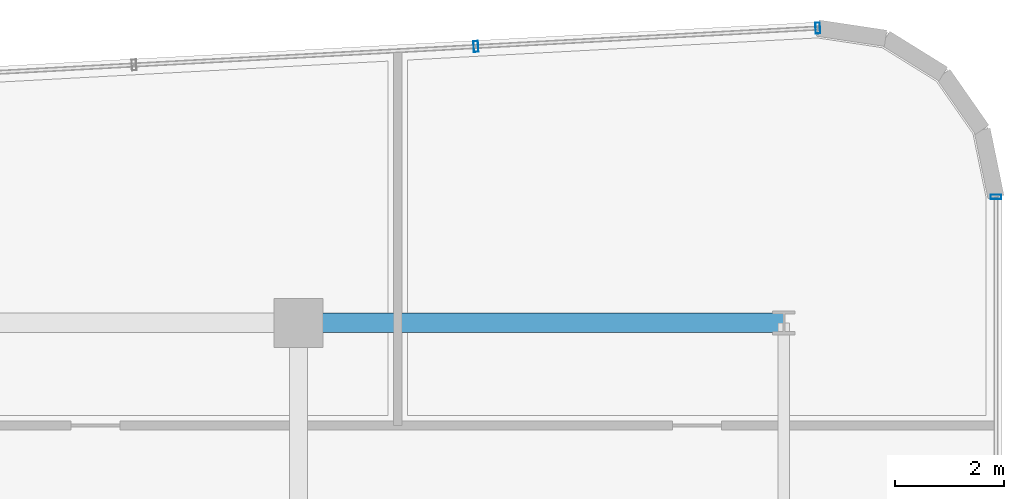
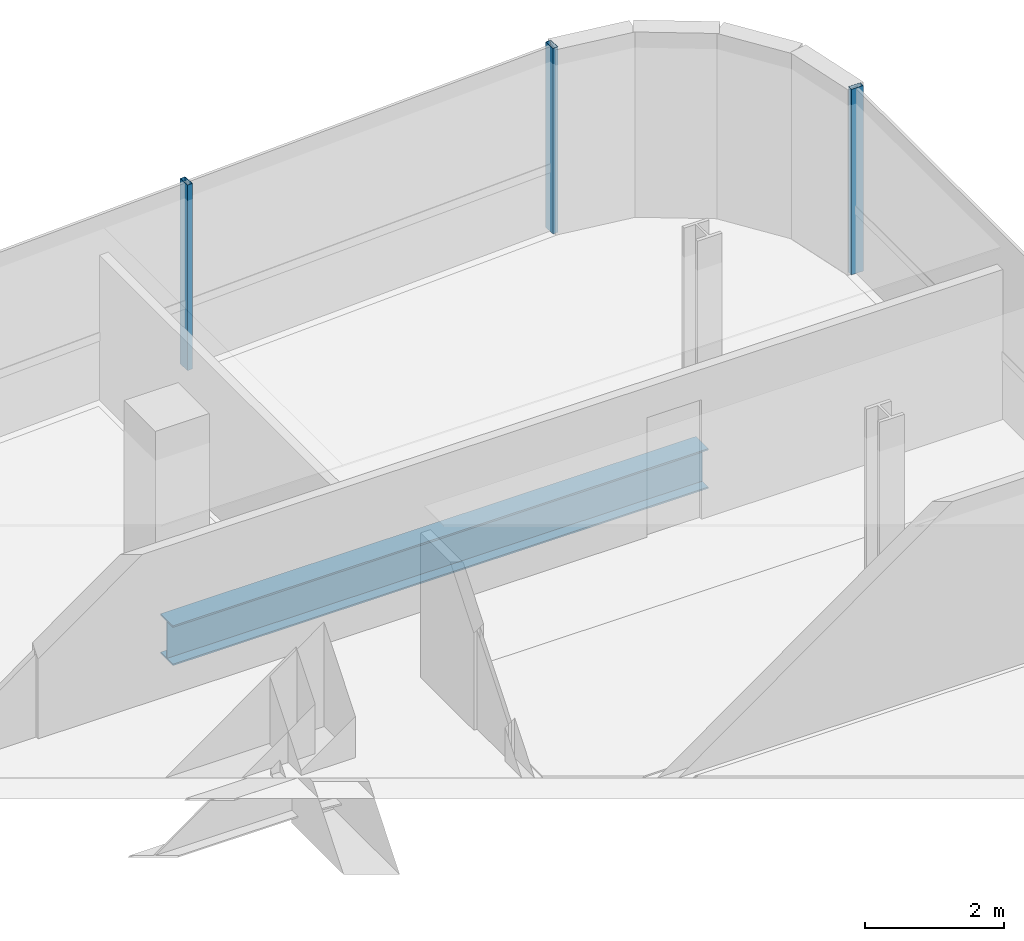
# One storey, part 15 of 21: 3 members, 1 beam, 2 elements without a shape of their own.
"""IFC4 building model written with IfcOpenShell, lengths in metres."""

from ifc_helpers import new_model, si_unit, direction, frame, origin, origin_2d, place, context, subcontext, project, spatial, hollow_rectangle, i_section, extrude, source, transform, mapped, material, material_profile, profile_set, type_object, element, aggregate, save


model = new_model("IFC4")

# Units and contexts
model_context = context("Model", 3, precision=1e-05, world=origin(), true_north=direction((0.0, 1.0)))
body_context = subcontext(model_context, "Body", "Model", "MODEL_VIEW")
ifc_project = project(units=[si_unit("LENGTHUNIT", "METRE"), si_unit("AREAUNIT", "SQUARE_METRE"), si_unit("VOLUMEUNIT", "CUBIC_METRE"), si_unit("PLANEANGLEUNIT", "RADIAN"), si_unit("MASSUNIT", "GRAM", prefix="KILO")], contexts=[model_context])

# Site, building, storey
site_placement = place(None, origin())
site = spatial("IfcSite", under=ifc_project, at=site_placement, CompositionType="ELEMENT")
building_placement = place(site_placement, origin())
building = spatial("IfcBuilding", under=site, at=building_placement, Name="Valdorenza Pilgrim Sanctuary Tower", CompositionType="ELEMENT")
storey_placement = place(building_placement, frame((0.0, 0.0, 223.0)))
storey = spatial("IfcBuildingStorey", under=building, at=storey_placement, Name="L57", CompositionType="ELEMENT", Elevation=223.0)

# Beam
ifc_material_1 = material(Name="Steel ASTM A992 Grade 50", Category="steel")
ifc_material_profile_1 = material_profile(ifc_material_1, i_section(OverallWidth=0.35595703125, OverallDepth=0.700927734375, WebThickness=0.016845703125, FlangeThickness=0.02734375, at=origin_2d()), Name="W27X161")
ifc_profile_set_1 = profile_set([ifc_material_profile_1], Name="Steel ASTM A992 Grade 50")
beam_type = type_object("IfcBeamType", Name="STR-BM-GRD-W27", PredefinedType="BEAM", material=ifc_profile_set_1)
shared_shape_1 = source(origin(), body_context, "Body", "SweptSolid", [
    extrude(i_section(OverallWidth=0.35595703125, OverallDepth=0.700927734375, WebThickness=0.016845703125, FlangeThickness=0.02734375, at=origin_2d()), origin(), (0.0, 0.0, 1.0), 8.89990234375),
])
beam_placement = place(storey_placement, frame((-12.39990234375, 14.800048828125, -0.590576171875), z_axis=(1.0, 0.0, 0.0), x_axis=(0.0, 1.0, 0.0)))
element("IfcBeam", 1, at=beam_placement, inside=storey, type_object=beam_type, Name="L57 Floor Girder UWA-KG2", PredefinedType="BEAM", context=body_context, shape_type="MappedRepresentation", body=[
    mapped(shared_shape_1, transform((0.0, 0.0, 0.0), x_axis=(1.0, 0.0, 0.0), y_axis=(0.0, 1.0, 0.0), z_axis=(0.0, 0.0, 1.0), scale=1.0)),
])

# Curtain wall, members
ifc_material_2 = material(Name="Curtain-wall IGU glazing", Category="glass")
curtain_wall_type = type_object("IfcCurtainWallType", Name="CW-SYS-02", PredefinedType="NOTDEFINED", material=ifc_material_2)
curtain_wall_1_placement = place(storey_placement, origin())
curtain_wall_1 = element("IfcCurtainWall", 2, at=curtain_wall_1_placement, inside=storey, type_object=curtain_wall_type, Name="L57 Curtain Wall CW-L57-1-6", PredefinedType="NOTDEFINED")
ifc_material_3 = material(Name="Anodised aluminium AW-6060", Category="aluminium")
ifc_material_profile_2 = material_profile(ifc_material_3, hollow_rectangle(XDim=0.0849609375, YDim=0.199951171875, WallThickness=0.0048828125, at=origin_2d()), Name="ALU-M 200x85x5")
ifc_profile_set_2 = profile_set([ifc_material_profile_2], Name="Anodised aluminium AW-6060")
member_type = type_object("IfcMemberType", Name="CW-MUL-02", PredefinedType="MULLION", material=ifc_profile_set_2)
shared_shape_2 = source(origin(), body_context, "Body", "SweptSolid", [
    extrude(hollow_rectangle(XDim=0.0849609375, YDim=0.199951171875, WallThickness=0.0048828125, at=origin_2d()), origin(), (0.0, 0.0, 1.0), 3.260009765625),
])
member_1_placement = place(storey_placement, frame((-9.147216796875, 19.869140625, 0.0), z_axis=(0.0, 0.0, 1.0), x_axis=(0.998547034311, 0.053887106711, 0.0)))
member_1 = element("IfcMember", 3, at=member_1_placement, type_object=member_type, Name="CW-L57-1-6 Mullion 4", PredefinedType="MULLION", context=body_context, shape_type="MappedRepresentation", body=[
    mapped(shared_shape_2, transform((0.0, 0.0, 0.0), x_axis=(1.0, 0.0, 0.0), y_axis=(0.0, 1.0, 0.0), z_axis=(0.0, 0.0, 1.0), scale=1.0)),
])
member_2_placement = place(storey_placement, frame((-2.877685546875, 20.20751953125, 0.0), z_axis=(0.0, 0.0, 1.0), x_axis=(0.998547034311, 0.053887106711, 0.0)))
member_2 = element("IfcMember", 4, at=member_2_placement, type_object=member_type, Name="CW-L57-1-6 Mullion 5", PredefinedType="MULLION", context=body_context, shape_type="MappedRepresentation", body=[
    mapped(shared_shape_2, transform((0.0, 0.0, 0.0), x_axis=(1.0, 0.0, 0.0), y_axis=(0.0, 1.0, 0.0), z_axis=(0.0, 0.0, 1.0), scale=1.0)),
])
aggregate(curtain_wall_1, [member_1, member_2])

# Curtain wall, member
curtain_wall_2_placement = place(storey_placement, origin())
curtain_wall_2 = element("IfcCurtainWall", 5, at=curtain_wall_2_placement, inside=storey, type_object=curtain_wall_type, Name="L57 Curtain Wall CW-L57-1-11", PredefinedType="NOTDEFINED")
member_3_placement = place(storey_placement, frame((0.389892578125, 17.111328125, 0.0), z_axis=(0.0, 0.0, 1.0), x_axis=(0.0, -1.0, 0.0)))
member_3 = element("IfcMember", 6, at=member_3_placement, type_object=member_type, Name="CW-L57-1-11 Mullion 1", PredefinedType="MULLION", context=body_context, shape_type="MappedRepresentation", body=[
    mapped(shared_shape_2, transform((0.0, 0.0, 0.0), x_axis=(1.0, 0.0, 0.0), y_axis=(0.0, 1.0, 0.0), z_axis=(0.0, 0.0, 1.0), scale=1.0)),
])
aggregate(curtain_wall_2, [member_3])

save(model, "model.ifc")
